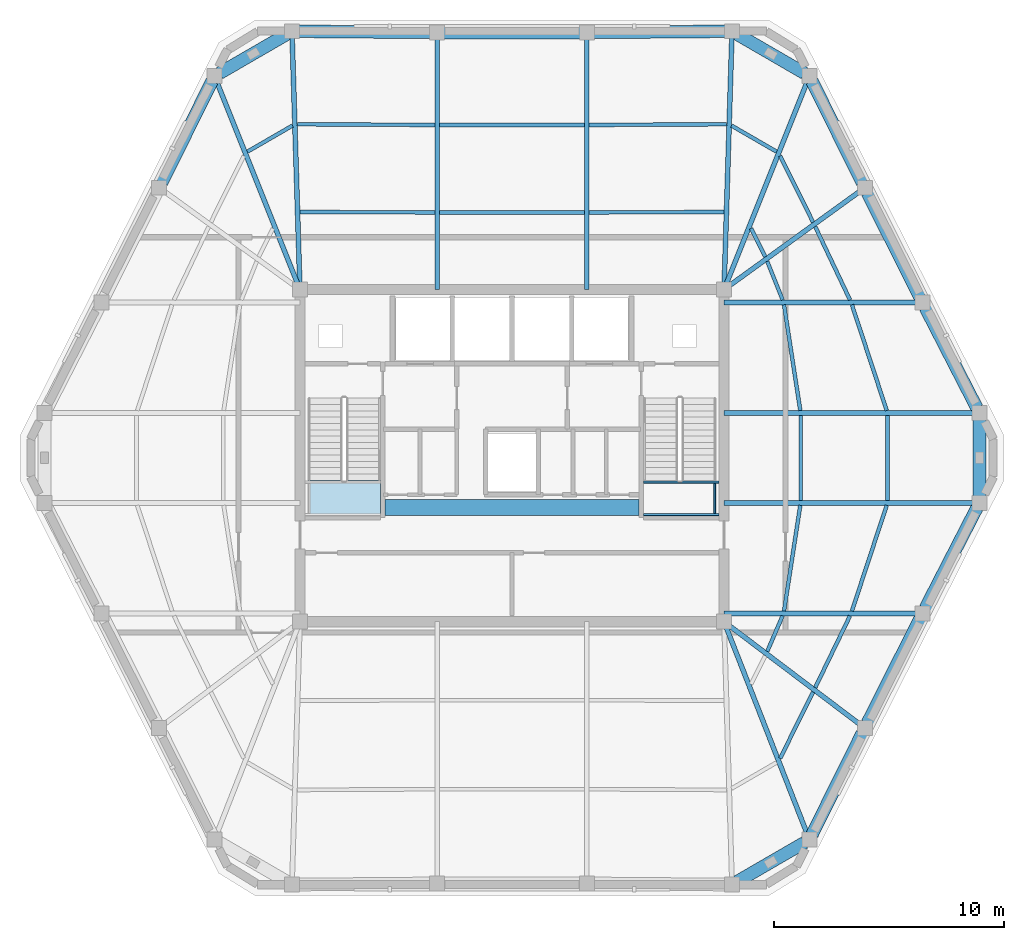
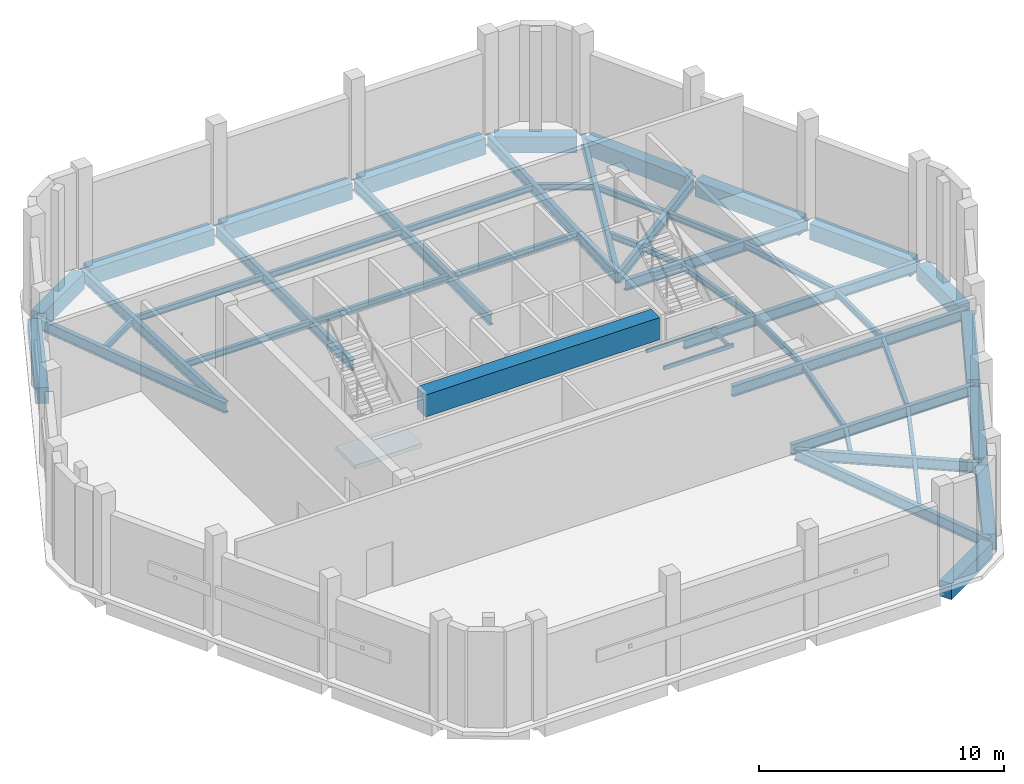
# One storey, part 2 of 8: 52 beams, 1 slab, 1 element without a shape of its own.
"""IFC4 building model written with IfcOpenShell, lengths in metres."""

from ifc_helpers import new_model, si_unit, direction, frame, origin, origin_2d, place, context, subcontext, project, spatial, polyline, rectangle, hollow_rectangle, i_section, outline, extrude, material, layer, layer_set, material_profile, profile_set, type_object, element, aggregate, save


model = new_model("IFC4")

# Units and contexts
model_context = context("Model", 3, precision=1e-05, world=origin(), true_north=direction((0.0, 1.0)))
body_context = subcontext(model_context, "Body", "Model", "MODEL_VIEW")
ifc_project = project(units=[si_unit("LENGTHUNIT", "METRE"), si_unit("AREAUNIT", "SQUARE_METRE"), si_unit("VOLUMEUNIT", "CUBIC_METRE"), si_unit("PLANEANGLEUNIT", "RADIAN"), si_unit("MASSUNIT", "GRAM", prefix="KILO")], contexts=[model_context])

# Site, building, storey
site_placement = place(None, origin())
site = spatial("IfcSite", under=ifc_project, at=site_placement, CompositionType="ELEMENT")
building_placement = place(site_placement, origin())
building = spatial("IfcBuilding", under=site, at=building_placement, Name="Cinnabar Lancet Tower", CompositionType="ELEMENT")
storey_placement = place(building_placement, frame((0.0, 0.0, 295.5)))
storey = spatial("IfcBuildingStorey", under=building, at=storey_placement, Name="L78", CompositionType="ELEMENT", Elevation=295.5)

# Beams
ifc_material_1 = material(Name="Concrete C70/85", Category="concrete")
ifc_material_profile_1 = material_profile(ifc_material_1, rectangle(XDim=0.699951171875, YDim=1.10009765625, at=origin_2d()), Name="RC-CB 700x1100")
ifc_profile_set_1 = profile_set([ifc_material_profile_1], Name="Concrete C70/85")
beam_type_1 = type_object("IfcBeamType", Name="STR-BM-CB-1100", PredefinedType="BEAM", material=ifc_profile_set_1)
beam_1_placement = place(storey_placement, frame((26.8798828125, 23.64990234375, 4.25), z_axis=(1.0, 0.0, 0.0), x_axis=(0.0, 1.0, 0.0)))
element("IfcBeam", 1, at=beam_1_placement, inside=storey, type_object=beam_type_1, Name="L78 Core Coupling Beam", PredefinedType="BEAM", context=body_context, shape_type="SweptSolid", body=[
    extrude(rectangle(XDim=0.699951171875, YDim=1.10009765625, at=origin_2d()), origin(), (0.0, 0.0, 1.0), 11.0400390625),
])
ifc_material_2 = material(Name="Structural steel S355", Category="steel")
ifc_material_profile_2 = material_profile(ifc_material_2, i_section(OverallWidth=0.1650390625, OverallDepth=0.303466796875, WebThickness=0.006103515625, FlangeThickness=0.01025390625, FilletRadius=0.0087890625, at=origin_2d()), Name="UKB 305x165x40")
ifc_profile_set_2 = profile_set([ifc_material_profile_2], Name="Structural steel S355")
beam_type_2 = type_object("IfcBeamType", Name="STR-BM-JST-305", PredefinedType="JOIST", material=ifc_profile_set_2)
beam_2_placement = place(storey_placement, frame((44.06591796875, 12.73193359375, -0.35205078125), z_axis=(0.444391284604, 0.895832789179, 0.0), x_axis=(-0.895832789179, 0.444391284604, 0.0)))
element("IfcBeam", 2, at=beam_2_placement, inside=storey, type_object=beam_type_2, Name="L78 Secondary Floor Joist 15", PredefinedType="JOIST", context=body_context, shape_type="SweptSolid", body=[
    extrude(i_section(OverallWidth=0.1650390625, OverallDepth=0.303466796875, WebThickness=0.006103515625, FlangeThickness=0.01025390625, FilletRadius=0.0087890625, at=origin_2d()), origin(), (0.0, 0.0, 1.0), 3.220458984375),
])
beam_3_placement = place(storey_placement, frame((45.591064453125, 15.80810546875, -0.35205078125), z_axis=(0.43610936109, 0.899893674369, 0.0), x_axis=(-0.899893674369, 0.43610936109, 0.0)))
element("IfcBeam", 3, at=beam_3_placement, inside=storey, type_object=beam_type_2, Name="L78 Secondary Floor Joist 17", PredefinedType="JOIST", context=body_context, shape_type="SweptSolid", body=[
    extrude(i_section(OverallWidth=0.1650390625, OverallDepth=0.303466796875, WebThickness=0.006103515625, FlangeThickness=0.01025390625, FilletRadius=0.0087890625, at=origin_2d()), origin(), (0.0, 0.0, 1.0), 3.467041015625),
])
beam_4_placement = place(storey_placement, frame((43.5048828125, 17.385009765625, -0.35205078125), z_axis=(0.396302440144, 0.91812002262, 0.0), x_axis=(-0.91812002262, 0.396302440144, 0.0)))
element("IfcBeam", 4, at=beam_4_placement, inside=storey, type_object=beam_type_2, Name="L78 Secondary Floor Joist 18", PredefinedType="JOIST", context=body_context, shape_type="SweptSolid", body=[
    extrude(i_section(OverallWidth=0.1650390625, OverallDepth=0.303466796875, WebThickness=0.006103515625, FlangeThickness=0.01025390625, FilletRadius=0.0087890625, at=origin_2d()), origin(), (0.0, 0.0, 1.0), 1.6806640625),
])
beam_5_placement = place(storey_placement, frame((47.18798828125, 19.137939453125, -0.35205078125), z_axis=(0.312491145371, 0.949920672512, 0.0), x_axis=(-0.949920672512, 0.312491145371, 0.0)))
element("IfcBeam", 5, at=beam_5_placement, inside=storey, type_object=beam_type_2, Name="L78 Secondary Floor Joist 19", PredefinedType="JOIST", context=body_context, shape_type="SweptSolid", body=[
    extrude(i_section(OverallWidth=0.1650390625, OverallDepth=0.303466796875, WebThickness=0.006103515625, FlangeThickness=0.01025390625, FilletRadius=0.0087890625, at=origin_2d()), origin(), (0.0, 0.0, 1.0), 4.8447265625),
])
beam_6_placement = place(storey_placement, frame((44.23291015625, 19.137939453125, -0.35205078125), z_axis=(0.152262059154, 0.988340156698, 0.0), x_axis=(-0.988340156698, 0.152262059154, 0.0)))
element("IfcBeam", 6, at=beam_6_placement, inside=storey, type_object=beam_type_2, Name="L78 Secondary Floor Joist 20", PredefinedType="JOIST", context=body_context, shape_type="SweptSolid", body=[
    extrude(i_section(OverallWidth=0.1650390625, OverallDepth=0.303466796875, WebThickness=0.006103515625, FlangeThickness=0.01025390625, FilletRadius=0.0087890625, at=origin_2d()), origin(), (0.0, 0.0, 1.0), 4.65625),
])
for number, where, z_axis, x_axis, name in (
    (7, (48.737060546875, 23.949951171875, -0.35205078125), (0.0, 1.0, 0.0), (-1.0, 0.0, 0.0), "L78 Secondary Floor Joist 21"),
    (8, (44.958984375, 23.949951171875, -0.35205078125), (0.0, 1.0, 0.0), (-1.0, 0.0, 0.0), "L78 Secondary Floor Joist 22"),
):
    element("IfcBeam", number, at=place(storey_placement, frame(where, z_axis=z_axis, x_axis=x_axis)), inside=storey, type_object=beam_type_2, Name=name, PredefinedType="JOIST", context=body_context, shape_type="SweptSolid", body=[
        extrude(i_section(OverallWidth=0.1650390625, OverallDepth=0.303466796875, WebThickness=0.006103515625, FlangeThickness=0.01025390625, FilletRadius=0.0087890625, at=origin_2d()), origin(), (0.0, 0.0, 1.0), 3.699951171875),
    ])
beam_7_placement = place(storey_placement, frame((48.701904296875, 27.860107421875, -0.35205078125), z_axis=(-0.312506104996, 0.94991575118, 0.0), x_axis=(-0.94991575118, -0.312506104996, 0.0)))
element("IfcBeam", 9, at=beam_7_placement, inside=storey, type_object=beam_type_2, Name="L78 Secondary Floor Joist 23", PredefinedType="JOIST", context=body_context, shape_type="SweptSolid", body=[
    extrude(i_section(OverallWidth=0.1650390625, OverallDepth=0.303466796875, WebThickness=0.006103515625, FlangeThickness=0.01025390625, FilletRadius=0.0087890625, at=origin_2d()), origin(), (0.0, 0.0, 1.0), 4.844482421875),
])
beam_8_placement = place(storey_placement, frame((44.94189453125, 27.860107421875, -0.35205078125), z_axis=(-0.152269949853, 0.988338941038, 0.0), x_axis=(-0.988338941038, -0.152269949853, 0.0)))
element("IfcBeam", 10, at=beam_8_placement, inside=storey, type_object=beam_type_2, Name="L78 Secondary Floor Joist 24", PredefinedType="JOIST", context=body_context, shape_type="SweptSolid", body=[
    extrude(i_section(OverallWidth=0.1650390625, OverallDepth=0.303466796875, WebThickness=0.006103515625, FlangeThickness=0.01025390625, FilletRadius=0.0087890625, at=origin_2d()), origin(), (0.0, 0.0, 1.0), 4.656005859375),
])
beam_9_placement = place(storey_placement, frame((47.10400390625, 32.672119140625, -0.35205078125), z_axis=(-0.428647868514, 0.903471640296, 0.0), x_axis=(-0.903471640296, -0.428647868514, 0.0)))
element("IfcBeam", 11, at=beam_9_placement, inside=storey, type_object=beam_type_2, Name="L78 Secondary Floor Joist 25", PredefinedType="JOIST", context=body_context, shape_type="SweptSolid", body=[
    extrude(i_section(OverallWidth=0.1650390625, OverallDepth=0.303466796875, WebThickness=0.006103515625, FlangeThickness=0.01025390625, FilletRadius=0.0087890625, at=origin_2d()), origin(), (0.0, 0.0, 1.0), 3.53173828125),
])
beam_10_placement = place(storey_placement, frame((44.175048828125, 32.672119140625, -0.35205078125), z_axis=(-0.37155332079, 0.928411616585, 0.0), x_axis=(-0.928411616585, -0.37155332079, 0.0)))
element("IfcBeam", 12, at=beam_10_placement, inside=storey, type_object=beam_type_2, Name="L78 Secondary Floor Joist 26", PredefinedType="JOIST", context=body_context, shape_type="SweptSolid", body=[
    extrude(i_section(OverallWidth=0.1650390625, OverallDepth=0.303466796875, WebThickness=0.006103515625, FlangeThickness=0.01025390625, FilletRadius=0.0087890625, at=origin_2d()), origin(), (0.0, 0.0, 1.0), 1.8115234375),
])
beam_11_placement = place(storey_placement, frame((45.4970703125, 36.054931640625, -0.35205078125), z_axis=(-0.44427059531, 0.895892648783, 0.0), x_axis=(-0.895892648783, -0.44427059531, 0.0)))
element("IfcBeam", 13, at=beam_11_placement, inside=storey, type_object=beam_type_2, Name="L78 Secondary Floor Joist 27", PredefinedType="JOIST", context=body_context, shape_type="SweptSolid", body=[
    extrude(i_section(OverallWidth=0.1650390625, OverallDepth=0.303466796875, WebThickness=0.006103515625, FlangeThickness=0.01025390625, FilletRadius=0.0087890625, at=origin_2d()), origin(), (0.0, 0.0, 1.0), 3.221435546875),
])
beam_12_placement = place(storey_placement, frame((43.4150390625, 34.549072265625, -0.35205078125), z_axis=(-0.444661746427, 0.895698571655, 0.0), x_axis=(-0.895698571655, -0.444661746427, 0.0)))
element("IfcBeam", 14, at=beam_12_placement, inside=storey, type_object=beam_type_2, Name="L78 Secondary Floor Joist 28", PredefinedType="JOIST", context=body_context, shape_type="SweptSolid", body=[
    extrude(i_section(OverallWidth=0.1650390625, OverallDepth=0.303466796875, WebThickness=0.006103515625, FlangeThickness=0.01025390625, FilletRadius=0.0087890625, at=origin_2d()), origin(), (0.0, 0.0, 1.0), 1.378662109375),
])
beam_13_placement = place(storey_placement, frame((43.912109375, 39.1201171875, -0.35205078125), z_axis=(-0.865426285481, 0.501036270542, 0.0), x_axis=(-0.501036270542, -0.865426285481, 0.0)))
element("IfcBeam", 15, at=beam_13_placement, inside=storey, type_object=beam_type_2, Name="L78 Secondary Floor Joist 29", PredefinedType="JOIST", context=body_context, shape_type="SweptSolid", body=[
    extrude(i_section(OverallWidth=0.1650390625, OverallDepth=0.303466796875, WebThickness=0.006103515625, FlangeThickness=0.01025390625, FilletRadius=0.0087890625, at=origin_2d()), origin(), (0.0, 0.0, 1.0), 2.267333984375),
])
beam_14_placement = place(storey_placement, frame((41.741943359375, 40.31494140625, -0.35205078125), z_axis=(-0.999985712428, -0.005345553266, 0.0), x_axis=(0.005345553266, -0.999985712428, 0.0)))
element("IfcBeam", 16, at=beam_14_placement, inside=storey, type_object=beam_type_2, Name="L78 Secondary Floor Joist 30", PredefinedType="JOIST", context=body_context, shape_type="SweptSolid", body=[
    extrude(i_section(OverallWidth=0.1650390625, OverallDepth=0.303466796875, WebThickness=0.006103515625, FlangeThickness=0.01025390625, FilletRadius=0.0087890625, at=origin_2d()), origin(), (0.0, 0.0, 1.0), 5.98291015625),
])
beam_15_placement = place(storey_placement, frame((41.6240234375, 36.49609375, -0.35205078125), z_axis=(-0.999996226008, -0.002747356738, 0.0), x_axis=(0.002747356738, -0.999996226008, 0.0)))
element("IfcBeam", 17, at=beam_15_placement, inside=storey, type_object=beam_type_2, Name="L78 Secondary Floor Joist 31", PredefinedType="JOIST", context=body_context, shape_type="SweptSolid", body=[
    extrude(i_section(OverallWidth=0.1650390625, OverallDepth=0.303466796875, WebThickness=0.006103515625, FlangeThickness=0.01025390625, FilletRadius=0.0087890625, at=origin_2d()), origin(), (0.0, 0.0, 1.0), 5.864990234375),
])
for number, where, z_axis, x_axis, name in (
    (18, (35.549072265625, 40.281982421875, -0.35205078125), (-1.0, 0.0, 0.0), (0.0, -1.0, 0.0), "L78 Secondary Floor Joist 32"),
    (19, (35.549072265625, 36.47998046875, -0.35205078125), (-1.0, 0.0, 0.0), (0.0, -1.0, 0.0), "L78 Secondary Floor Joist 33"),
):
    element("IfcBeam", number, at=place(storey_placement, frame(where, z_axis=z_axis, x_axis=x_axis)), inside=storey, type_object=beam_type_2, Name=name, PredefinedType="JOIST", context=body_context, shape_type="SweptSolid", body=[
        extrude(i_section(OverallWidth=0.1650390625, OverallDepth=0.303466796875, WebThickness=0.006103515625, FlangeThickness=0.01025390625, FilletRadius=0.0087890625, at=origin_2d()), origin(), (0.0, 0.0, 1.0), 6.298095703125),
    ])
beam_16_placement = place(storey_placement, frame((29.041015625, 40.282958984375, -0.35205078125), z_axis=(-0.999985712428, 0.005345553266, 0.0), x_axis=(-0.005345553266, -0.999985712428, 0.0)))
element("IfcBeam", 20, at=beam_16_placement, inside=storey, type_object=beam_type_2, Name="L78 Secondary Floor Joist 34", PredefinedType="JOIST", context=body_context, shape_type="SweptSolid", body=[
    extrude(i_section(OverallWidth=0.1650390625, OverallDepth=0.303466796875, WebThickness=0.006103515625, FlangeThickness=0.01025390625, FilletRadius=0.0087890625, at=origin_2d()), origin(), (0.0, 0.0, 1.0), 5.98291015625),
])
beam_17_placement = place(storey_placement, frame((29.041015625, 36.47998046875, -0.35205078125), z_axis=(-0.999996226008, 0.002747356738, 0.0), x_axis=(-0.002747356738, -0.999996226008, 0.0)))
element("IfcBeam", 21, at=beam_17_placement, inside=storey, type_object=beam_type_2, Name="L78 Secondary Floor Joist 35", PredefinedType="JOIST", context=body_context, shape_type="SweptSolid", body=[
    extrude(i_section(OverallWidth=0.1650390625, OverallDepth=0.303466796875, WebThickness=0.006103515625, FlangeThickness=0.01025390625, FilletRadius=0.0087890625, at=origin_2d()), origin(), (0.0, 0.0, 1.0), 5.864990234375),
])
beam_18_placement = place(storey_placement, frame((22.85009765625, 40.256103515625, -0.35205078125), z_axis=(-0.865426285481, -0.501036270542, 0.0), x_axis=(0.501036270542, -0.865426285481, 0.0)))
element("IfcBeam", 22, at=beam_18_placement, inside=storey, type_object=beam_type_2, Name="L78 Secondary Floor Joist 36", PredefinedType="JOIST", context=body_context, shape_type="SweptSolid", body=[
    extrude(i_section(OverallWidth=0.1650390625, OverallDepth=0.303466796875, WebThickness=0.006103515625, FlangeThickness=0.01025390625, FilletRadius=0.0087890625, at=origin_2d()), origin(), (0.0, 0.0, 1.0), 2.267333984375),
])
ifc_material_3 = material(Name="Structural steel S355", Category="steel")
ifc_material_profile_3 = material_profile(ifc_material_3, hollow_rectangle(XDim=0.10009765625, YDim=0.199951171875, WallThickness=0.008056640625, InnerFilletRadius=0.00390625, OuterFilletRadius=0.011962890625, at=origin_2d()), Name="RHS 200x100x8")
ifc_profile_set_3 = profile_set([ifc_material_profile_3], Name="Structural steel S355")
beam_type_3 = type_object("IfcBeamType", Name="STR-BM-LND-203", PredefinedType="BEAM", material=ifc_profile_set_3)
for number, where, z_axis, x_axis, name in (
    (23, (38.1201171875, 23.330078125, 2.199951171875), (1.0, 0.0, 0.0), (0.0, 1.0, 0.0), "L78 ST-2-L78 Landing Support Beam S"),
    (24, (38.1201171875, 24.7451171875, 2.199951171875), (1.0, 0.0, 0.0), (0.0, 1.0, 0.0), "L78 ST-2-L78 Landing Support Beam N"),
):
    element("IfcBeam", number, at=place(storey_placement, frame(where, z_axis=z_axis, x_axis=x_axis)), inside=storey, type_object=beam_type_3, Name=name, PredefinedType="BEAM", context=body_context, shape_type="SweptSolid", body=[
        extrude(hollow_rectangle(XDim=0.10009765625, YDim=0.199951171875, WallThickness=0.008056640625, InnerFilletRadius=0.00390625, OuterFilletRadius=0.011962890625, at=origin_2d()), origin(), (0.0, 0.0, 1.0), 3.27978515625),
    ])
beam_19_placement = place(storey_placement, frame((41.219970703125, 23.3798828125, 2.199951171875), z_axis=(0.0, 1.0, 0.0), x_axis=(-1.0, 0.0, 0.0)))
element("IfcBeam", 25, at=beam_19_placement, inside=storey, type_object=beam_type_3, Name="L78 ST-2-L78 Landing Side Trimmer Beam", PredefinedType="BEAM", context=body_context, shape_type="SweptSolid", body=[
    extrude(hollow_rectangle(XDim=0.10009765625, YDim=0.199951171875, WallThickness=0.008056640625, InnerFilletRadius=0.00390625, OuterFilletRadius=0.011962890625, at=origin_2d()), origin(), (0.0, 0.0, 1.0), 1.315185546875),
])
ifc_material_4 = material(Name="Concrete C50/60", Category="concrete")
ifc_material_profile_4 = material_profile(ifc_material_4, rectangle(XDim=0.550048828125, YDim=0.800048828125, at=origin_2d()), Name="RC-SB 550x800")
ifc_profile_set_4 = profile_set([ifc_material_profile_4], Name="Concrete C50/60")
beam_type_4 = type_object("IfcBeamType", Name="STR-BM-RCSB-800", PredefinedType="SPANDREL", material=ifc_profile_set_4)
beam_20_placement = place(storey_placement, frame((42.18798828125, 7.364013671875, -0.60009765625), z_axis=(0.865230894194, 0.50137361292, 0.0), x_axis=(-0.50137361292, 0.865230894194, 0.0)))
element("IfcBeam", 26, at=beam_20_placement, inside=storey, type_object=beam_type_4, Name="L78 Perimeter Spandrel 4", PredefinedType="SPANDREL", context=body_context, shape_type="SweptSolid", body=[
    extrude(rectangle(XDim=0.550048828125, YDim=0.800048828125, at=origin_2d()), origin(), (0.0, 0.0, 1.0), 3.39453125),
])
beam_21_placement = place(storey_placement, frame((45.451904296875, 9.4150390625, -0.60009765625), z_axis=(0.444372599207, 0.895842058107, 0.0), x_axis=(-0.895842058107, 0.444372599207, 0.0)))
element("IfcBeam", 27, at=beam_21_placement, inside=storey, type_object=beam_type_4, Name="L78 Perimeter Spandrel 5", PredefinedType="SPANDREL", context=body_context, shape_type="SweptSolid", body=[
    extrude(rectangle(XDim=0.550048828125, YDim=0.800048828125, at=origin_2d()), origin(), (0.0, 0.0, 1.0), 4.91943359375),
])
beam_22_placement = place(storey_placement, frame((47.862060546875, 14.26904296875, -0.60009765625), z_axis=(0.450091864122, 0.892982258419, 0.0), x_axis=(-0.892982258419, 0.450091864122, 0.0)))
element("IfcBeam", 28, at=beam_22_placement, inside=storey, type_object=beam_type_4, Name="L78 Perimeter Spandrel 6", PredefinedType="SPANDREL", context=body_context, shape_type="SweptSolid", body=[
    extrude(rectangle(XDim=0.550048828125, YDim=0.800048828125, at=origin_2d()), origin(), (0.0, 0.0, 1.0), 5.085205078125),
])
beam_23_placement = place(storey_placement, frame((50.3779296875, 19.2548828125, -0.60009765625), z_axis=(0.457127852293, 0.889400993174, 0.0), x_axis=(-0.889400993174, 0.457127852293, 0.0)))
element("IfcBeam", 29, at=beam_23_placement, inside=storey, type_object=beam_type_4, Name="L78 Perimeter Spandrel 7", PredefinedType="SPANDREL", context=body_context, shape_type="SweptSolid", body=[
    extrude(rectangle(XDim=0.550048828125, YDim=0.800048828125, at=origin_2d()), origin(), (0.0, 0.0, 1.0), 4.911376953125),
])
beam_24_placement = place(storey_placement, frame((52.737060546875, 24.094970703125, -0.60009765625), z_axis=(0.0, 1.0, 0.0), x_axis=(-1.0, 0.0, 0.0)))
element("IfcBeam", 30, at=beam_24_placement, inside=storey, type_object=beam_type_4, Name="L78 Perimeter Spandrel 8", PredefinedType="SPANDREL", context=body_context, shape_type="SweptSolid", body=[
    extrude(rectangle(XDim=0.550048828125, YDim=0.800048828125, at=origin_2d()), origin(), (0.0, 0.0, 1.0), 3.409912109375),
])
beam_25_placement = place(storey_placement, frame((52.623046875, 27.97705078125, -0.60009765625), z_axis=(-0.457148063427, 0.889390604912, 0.0), x_axis=(-0.889390604912, -0.457148063427, 0.0)))
element("IfcBeam", 31, at=beam_25_placement, inside=storey, type_object=beam_type_4, Name="L78 Perimeter Spandrel 9", PredefinedType="SPANDREL", context=body_context, shape_type="SweptSolid", body=[
    extrude(rectangle(XDim=0.550048828125, YDim=0.800048828125, at=origin_2d()), origin(), (0.0, 0.0, 1.0), 4.9111328125),
])
beam_26_placement = place(storey_placement, frame((50.15087890625, 32.7900390625, -0.60009765625), z_axis=(-0.450091864122, 0.892982258419, 0.0), x_axis=(-0.892982258419, -0.450091864122, 0.0)))
element("IfcBeam", 32, at=beam_26_placement, inside=storey, type_object=beam_type_4, Name="L78 Perimeter Spandrel 10", PredefinedType="SPANDREL", context=body_context, shape_type="SweptSolid", body=[
    extrude(rectangle(XDim=0.550048828125, YDim=0.800048828125, at=origin_2d()), origin(), (0.0, 0.0, 1.0), 5.085205078125),
])
beam_27_placement = place(storey_placement, frame((47.637939453125, 37.778076171875, -0.60009765625), z_axis=(-0.444372599207, 0.895842058107, 0.0), x_axis=(-0.895842058107, -0.444372599207, 0.0)))
element("IfcBeam", 33, at=beam_27_placement, inside=storey, type_object=beam_type_4, Name="L78 Perimeter Spandrel 11", PredefinedType="SPANDREL", context=body_context, shape_type="SweptSolid", body=[
    extrude(rectangle(XDim=0.550048828125, YDim=0.800048828125, at=origin_2d()), origin(), (0.0, 0.0, 1.0), 4.91943359375),
])
beam_28_placement = place(storey_placement, frame((45.125, 42.533935546875, -0.60009765625), z_axis=(-0.865199693264, 0.501427453153, 0.0), x_axis=(-0.501427453153, -0.865199693264, 0.0)))
element("IfcBeam", 34, at=beam_28_placement, inside=storey, type_object=beam_type_4, Name="L78 Perimeter Spandrel 12", PredefinedType="SPANDREL", context=body_context, shape_type="SweptSolid", body=[
    extrude(rectangle(XDim=0.550048828125, YDim=0.800048828125, at=origin_2d()), origin(), (0.0, 0.0, 1.0), 3.39453125),
])
beam_29_placement = place(storey_placement, frame((41.721923828125, 44.35888671875, -0.60009765625), z_axis=(-0.999964782464, -0.008392486634, 0.0), x_axis=(0.008392486634, -0.999964782464, 0.0)))
element("IfcBeam", 35, at=beam_29_placement, inside=storey, type_object=beam_type_4, Name="L78 Perimeter Spandrel 13", PredefinedType="SPANDREL", context=body_context, shape_type="SweptSolid", body=[
    extrude(rectangle(XDim=0.550048828125, YDim=0.800048828125, at=origin_2d()), origin(), (0.0, 0.0, 1.0), 5.818115234375),
])
beam_30_placement = place(storey_placement, frame((35.404052734375, 44.30810546875, -0.60009765625), z_axis=(-1.0, 0.0, 0.0), x_axis=(0.0, -1.0, 0.0)))
element("IfcBeam", 36, at=beam_30_placement, inside=storey, type_object=beam_type_4, Name="L78 Perimeter Spandrel 14", PredefinedType="SPANDREL", context=body_context, shape_type="SweptSolid", body=[
    extrude(rectangle(XDim=0.550048828125, YDim=0.800048828125, at=origin_2d()), origin(), (0.0, 0.0, 1.0), 6.008056640625),
])
beam_31_placement = place(storey_placement, frame((28.89599609375, 44.31005859375, -0.60009765625), z_axis=(-0.999964785419, 0.008392134492, 0.0), x_axis=(-0.008392134492, -0.999964785419, 0.0)))
element("IfcBeam", 37, at=beam_31_placement, inside=storey, type_object=beam_type_4, Name="L78 Perimeter Spandrel 15", PredefinedType="SPANDREL", context=body_context, shape_type="SweptSolid", body=[
    extrude(rectangle(XDim=0.550048828125, YDim=0.800048828125, at=origin_2d()), origin(), (0.0, 0.0, 1.0), 5.818359375),
])
beam_32_placement = place(storey_placement, frame((22.612060546875, 44.236083984375, -0.60009765625), z_axis=(-0.865199693264, -0.501427453153, 0.0), x_axis=(0.501427453153, -0.865199693264, 0.0)))
element("IfcBeam", 38, at=beam_32_placement, inside=storey, type_object=beam_type_4, Name="L78 Perimeter Spandrel 16", PredefinedType="SPANDREL", context=body_context, shape_type="SweptSolid", body=[
    extrude(rectangle(XDim=0.550048828125, YDim=0.800048828125, at=origin_2d()), origin(), (0.0, 0.0, 1.0), 3.39453125),
])
beam_33_placement = place(storey_placement, frame((19.347900390625, 42.18505859375, -0.60009765625), z_axis=(-0.44433276947, -0.895861814107, 0.0), x_axis=(0.895861814107, -0.44433276947, 0.0)))
element("IfcBeam", 39, at=beam_33_placement, inside=storey, type_object=beam_type_4, Name="L78 Perimeter Spandrel 17", PredefinedType="SPANDREL", context=body_context, shape_type="SweptSolid", body=[
    extrude(rectangle(XDim=0.550048828125, YDim=0.800048828125, at=origin_2d()), origin(), (0.0, 0.0, 1.0), 4.919189453125),
])
ifc_material_5 = material(Name="Structural steel S355", Category="steel")
ifc_material_profile_5 = material_profile(ifc_material_5, i_section(OverallWidth=0.209228515625, OverallDepth=0.533203125, WebThickness=0.010009765625, FlangeThickness=0.015625, FilletRadius=0.0126953125, at=origin_2d()), Name="UKB 533x210x92")
ifc_profile_set_5 = profile_set([ifc_material_profile_5], Name="Structural steel S355")
beam_type_5 = type_object("IfcBeamType", Name="STR-BM-UKB533-92", PredefinedType="BEAM", material=ifc_profile_set_5)
beam_34_placement = place(storey_placement, frame((47.7490234375, 14.0458984375, -0.467041015625), z_axis=(-0.797735075719, 0.603008083667, 0.0), x_axis=(-0.603008083667, -0.797735075719, 0.0)))
element("IfcBeam", 40, at=beam_34_placement, inside=storey, type_object=beam_type_5, Name="L78 Corner Collector Girder 2", PredefinedType="BEAM", context=body_context, shape_type="SweptSolid", body=[
    extrude(i_section(OverallWidth=0.209228515625, OverallDepth=0.533203125, WebThickness=0.010009765625, FlangeThickness=0.015625, FilletRadius=0.0126953125, at=origin_2d()), origin(), (0.0, 0.0, 1.0), 7.6767578125),
])
beam_35_placement = place(storey_placement, frame((47.7490234375, 37.553955078125, -0.467041015625), z_axis=(-0.810299148474, -0.586016458797, 0.0), x_axis=(0.586016458797, -0.810299148474, 0.0)))
element("IfcBeam", 41, at=beam_35_placement, inside=storey, type_object=beam_type_5, Name="L78 Corner Collector Girder 3", PredefinedType="BEAM", context=body_context, shape_type="SweptSolid", body=[
    extrude(i_section(OverallWidth=0.209228515625, OverallDepth=0.533203125, WebThickness=0.010009765625, FlangeThickness=0.015625, FilletRadius=0.0126953125, at=origin_2d()), origin(), (0.0, 0.0, 1.0), 7.5576171875),
])
beam_36_placement = place(storey_placement, frame((45.341064453125, 9.19091796875, -0.467041015625), z_axis=(-0.364815017375, 0.931080019707, 0.0), x_axis=(-0.931080019707, -0.364815017375, 0.0)))
element("IfcBeam", 42, at=beam_36_placement, inside=storey, type_object=beam_type_5, Name="L78 Primary Floor Girder 5", PredefinedType="BEAM", context=body_context, shape_type="SweptSolid", body=[
    extrude(i_section(OverallWidth=0.209228515625, OverallDepth=0.533203125, WebThickness=0.010009765625, FlangeThickness=0.015625, FilletRadius=0.0126953125, at=origin_2d()), origin(), (0.0, 0.0, 1.0), 10.186279296875),
])
beam_37_placement = place(storey_placement, frame((50.263916015625, 19.032958984375, -0.467041015625), z_axis=(-1.0, 0.0, 0.0), x_axis=(0.0, -1.0, 0.0)))
element("IfcBeam", 43, at=beam_37_placement, inside=storey, type_object=beam_type_5, Name="L78 Primary Floor Girder 7", PredefinedType="BEAM", context=body_context, shape_type="SweptSolid", body=[
    extrude(i_section(OverallWidth=0.209228515625, OverallDepth=0.533203125, WebThickness=0.010009765625, FlangeThickness=0.015625, FilletRadius=0.0126953125, at=origin_2d()), origin(), (0.0, 0.0, 1.0), 8.638916015625),
])
for number, where, z_axis, x_axis, name in (
    (44, (52.737060546875, 23.844970703125, -0.467041015625), (-1.0, 0.0, 0.0), (0.0, -1.0, 0.0), "L78 Primary Floor Girder 8"),
    (45, (52.737060546875, 27.7548828125, -0.467041015625), (-1.0, 0.0, 0.0), (0.0, -1.0, 0.0), "L78 Primary Floor Girder 9"),
):
    element("IfcBeam", number, at=place(storey_placement, frame(where, z_axis=z_axis, x_axis=x_axis)), inside=storey, type_object=beam_type_5, Name=name, PredefinedType="BEAM", context=body_context, shape_type="SweptSolid", body=[
        extrude(i_section(OverallWidth=0.209228515625, OverallDepth=0.533203125, WebThickness=0.010009765625, FlangeThickness=0.015625, FilletRadius=0.0126953125, at=origin_2d()), origin(), (0.0, 0.0, 1.0), 11.112060546875),
    ])
beam_38_placement = place(storey_placement, frame((50.263916015625, 32.56689453125, -0.467041015625), z_axis=(-1.0, 0.0, 0.0), x_axis=(0.0, -1.0, 0.0)))
element("IfcBeam", 46, at=beam_38_placement, inside=storey, type_object=beam_type_5, Name="L78 Primary Floor Girder 10", PredefinedType="BEAM", context=body_context, shape_type="SweptSolid", body=[
    extrude(i_section(OverallWidth=0.209228515625, OverallDepth=0.533203125, WebThickness=0.010009765625, FlangeThickness=0.015625, FilletRadius=0.0126953125, at=origin_2d()), origin(), (0.0, 0.0, 1.0), 8.638916015625),
])
beam_39_placement = place(storey_placement, frame((45.341064453125, 42.408935546875, -0.467041015625), z_axis=(-0.371605341166, -0.928390796172, 0.0), x_axis=(0.928390796172, -0.371605341166, 0.0)))
element("IfcBeam", 47, at=beam_39_placement, inside=storey, type_object=beam_type_5, Name="L78 Primary Floor Girder 12", PredefinedType="BEAM", context=body_context, shape_type="SweptSolid", body=[
    extrude(i_section(OverallWidth=0.209228515625, OverallDepth=0.533203125, WebThickness=0.010009765625, FlangeThickness=0.015625, FilletRadius=0.0126953125, at=origin_2d()), origin(), (0.0, 0.0, 1.0), 10.0),
])
beam_40_placement = place(storey_placement, frame((41.971923828125, 44.361083984375, -0.467041015625), z_axis=(-0.030861159652, -0.999523680973, 0.0), x_axis=(0.999523680973, -0.030861159652, 0.0)))
element("IfcBeam", 48, at=beam_40_placement, inside=storey, type_object=beam_type_5, Name="L78 Primary Floor Girder 13", PredefinedType="BEAM", context=body_context, shape_type="SweptSolid", body=[
    extrude(i_section(OverallWidth=0.209228515625, OverallDepth=0.533203125, WebThickness=0.010009765625, FlangeThickness=0.015625, FilletRadius=0.0126953125, at=origin_2d()), origin(), (0.0, 0.0, 1.0), 11.241455078125),
])
for number, where, z_axis, x_axis, name in (
    (49, (35.654052734375, 44.30810546875, -0.467041015625), (0.0, -1.0, 0.0), (1.0, 0.0, 0.0), "L78 Primary Floor Girder 14"),
    (50, (29.14599609375, 44.30810546875, -0.467041015625), (0.0, -1.0, 0.0), (1.0, 0.0, 0.0), "L78 Primary Floor Girder 15"),
):
    element("IfcBeam", number, at=place(storey_placement, frame(where, z_axis=z_axis, x_axis=x_axis)), inside=storey, type_object=beam_type_5, Name=name, PredefinedType="BEAM", context=body_context, shape_type="SweptSolid", body=[
        extrude(i_section(OverallWidth=0.209228515625, OverallDepth=0.533203125, WebThickness=0.010009765625, FlangeThickness=0.015625, FilletRadius=0.0126953125, at=origin_2d()), origin(), (0.0, 0.0, 1.0), 11.18310546875),
    ])
beam_41_placement = place(storey_placement, frame((22.827880859375, 44.361083984375, -0.467041015625), z_axis=(0.030882856862, -0.999523010817, 0.0), x_axis=(0.999523010817, 0.030882856862, 0.0)))
element("IfcBeam", 51, at=beam_41_placement, inside=storey, type_object=beam_type_5, Name="L78 Primary Floor Girder 16", PredefinedType="BEAM", context=body_context, shape_type="SweptSolid", body=[
    extrude(i_section(OverallWidth=0.209228515625, OverallDepth=0.533203125, WebThickness=0.010009765625, FlangeThickness=0.015625, FilletRadius=0.0126953125, at=origin_2d()), origin(), (0.0, 0.0, 1.0), 11.241455078125),
])
beam_42_placement = place(storey_placement, frame((19.458984375, 42.408935546875, -0.467041015625), z_axis=(0.371605341166, -0.928390796172, 0.0), x_axis=(0.928390796172, 0.371605341166, 0.0)))
element("IfcBeam", 52, at=beam_42_placement, inside=storey, type_object=beam_type_5, Name="L78 Primary Floor Girder 17", PredefinedType="BEAM", context=body_context, shape_type="SweptSolid", body=[
    extrude(i_section(OverallWidth=0.209228515625, OverallDepth=0.533203125, WebThickness=0.010009765625, FlangeThickness=0.015625, FilletRadius=0.0126953125, at=origin_2d()), origin(), (0.0, 0.0, 1.0), 10.0),
])

# Stair, slab
ifc_material_6 = material(Name="Concrete C40/50", Category="concrete")
stair_type = type_object("IfcStairType", Name="ST-CORE", PredefinedType="HALF_TURN_STAIR", material=ifc_material_6)
stair_placement = place(storey_placement, origin())
stair = element("IfcStair", 53, at=stair_placement, inside=storey, type_object=stair_type, Name="L78 ST-1", PredefinedType="HALF_TURN_STAIR")
ifc_material_7 = material(Name="Concrete C40/50", Category="concrete")
ifc_layer = layer(ifc_material_7, 0.199951171875)
ifc_layer_set = layer_set([ifc_layer], Name="Concrete C40/50")
slab_type = type_object("IfcSlabType", Name="LANDING-CORE", PredefinedType="LANDING", material=ifc_layer_set)
slab_placement = place(storey_placement, frame((0.0, 0.0, 2.300048828125)))
slab = element("IfcSlab", 54, at=slab_placement, type_object=slab_type, Name="ST-1 landing 1", PredefinedType="LANDING", context=body_context, shape_type="SweptSolid", body=[
    extrude(outline(polyline([(23.52490234375, 24.824951171875), (23.52490234375, 23.25), (26.675048828125, 23.25), (26.675048828125, 24.824951171875), (23.52490234375, 24.824951171875)])), origin(), (0.0, 0.0, 1.0), 0.199951171875),
])
aggregate(stair, [slab])

save(model, "model.ifc")
